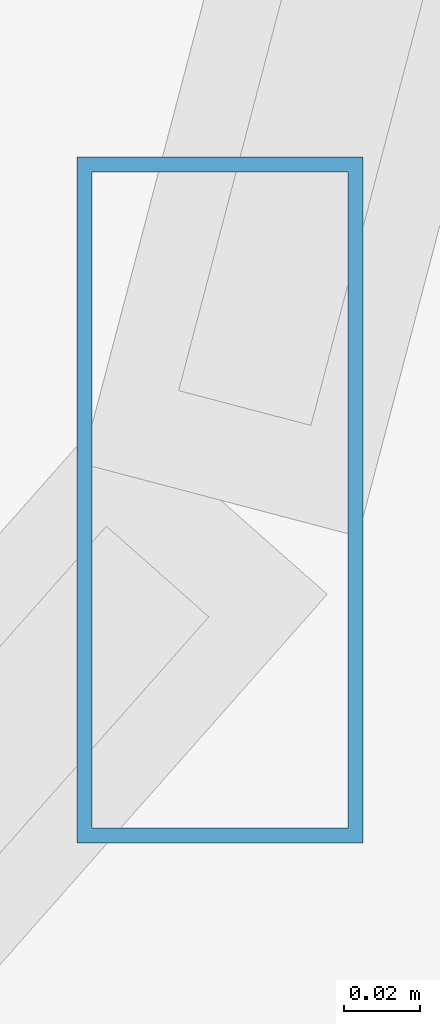
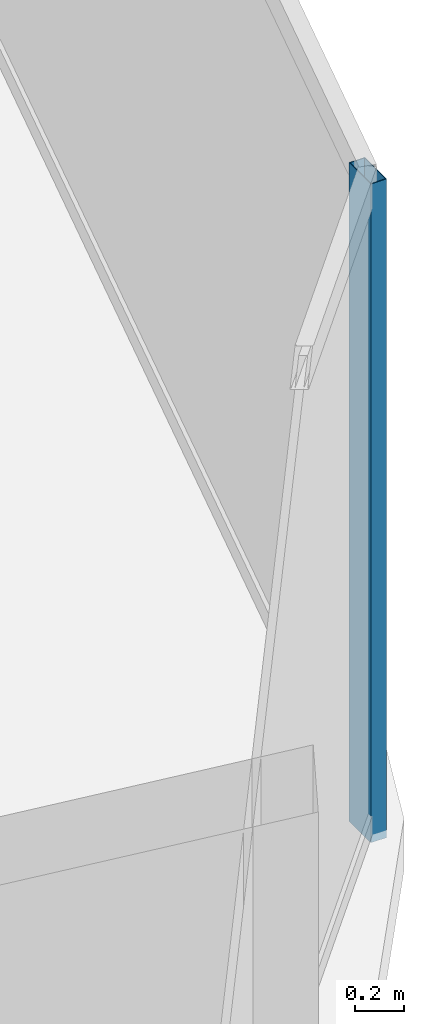
# One storey, part 14 of 29: 1 member, 1 element without a shape of its own.
"""IFC4 building model written with IfcOpenShell, lengths in metres."""

from ifc_helpers import new_model, si_unit, direction, frame, origin, origin_2d, place, context, subcontext, project, spatial, hollow_rectangle, extrude, material, material_profile, profile_set, type_object, element, aggregate, save


model = new_model("IFC4")

# Units and contexts
model_context = context("Model", 3, precision=1e-05, world=origin(), true_north=direction((0.0, 1.0)))
body_context = subcontext(model_context, "Body", "Model", "MODEL_VIEW")
ifc_project = project(units=[si_unit("LENGTHUNIT", "METRE"), si_unit("AREAUNIT", "SQUARE_METRE"), si_unit("VOLUMEUNIT", "CUBIC_METRE"), si_unit("PLANEANGLEUNIT", "RADIAN"), si_unit("MASSUNIT", "GRAM", prefix="KILO")], contexts=[model_context])

# Site, building, storey
site_placement = place(None, origin())
site = spatial("IfcSite", under=ifc_project, at=site_placement, CompositionType="ELEMENT")
building_placement = place(site_placement, origin())
building = spatial("IfcBuilding", under=site, at=building_placement, Name="Vorneva Point Tower", CompositionType="ELEMENT")
storey_placement = place(building_placement, frame((0.0, 0.0, 82.300048828125)))
storey = spatial("IfcBuildingStorey", under=building, at=storey_placement, Name="L21", CompositionType="ELEMENT", Elevation=82.300048828125)

# Curtain wall, member
ifc_material = material(Name="Pale anodised aluminium", Category="aluminium")
curtain_wall_type = type_object("IfcCurtainWallType", Name="CW-HTL-SYS", PredefinedType="NOTDEFINED", material=ifc_material)
curtain_wall_placement = place(storey_placement, origin())
curtain_wall = element("IfcCurtainWall", 1, at=curtain_wall_placement, inside=storey, type_object=curtain_wall_type, Name="L21 Unitised Curtain Wall CW-L21-R04", PredefinedType="NOTDEFINED")
ifc_material_profile = material_profile(ifc_material, hollow_rectangle(XDim=0.074951171875, YDim=0.179931640625, WallThickness=0.00390625, at=origin_2d()), Name="AL-MUL 180x75x4")
ifc_profile_set = profile_set([ifc_material_profile], Name="Pale anodised aluminium")
member_type = type_object("IfcMemberType", Name="CW-MUL-180", PredefinedType="MULLION", material=ifc_profile_set)
member_placement = place(storey_placement, frame((62.251708984375, 18.40380859375, -0.0400390625), z_axis=(0.0, 0.0, 1.0), x_axis=(1.0, 0.0, 0.0)))
member = element("IfcMember", 2, at=member_placement, type_object=member_type, Name="CW-L21-R04 Mullion 02", PredefinedType="MULLION", context=body_context, shape_type="SweptSolid", body=[
    extrude(hollow_rectangle(XDim=0.074951171875, YDim=0.179931640625, WallThickness=0.00390625, at=origin_2d()), origin(), (0.0, 0.0, 1.0), 3.31005859375),
])
aggregate(curtain_wall, [member])

save(model, "model.ifc")
